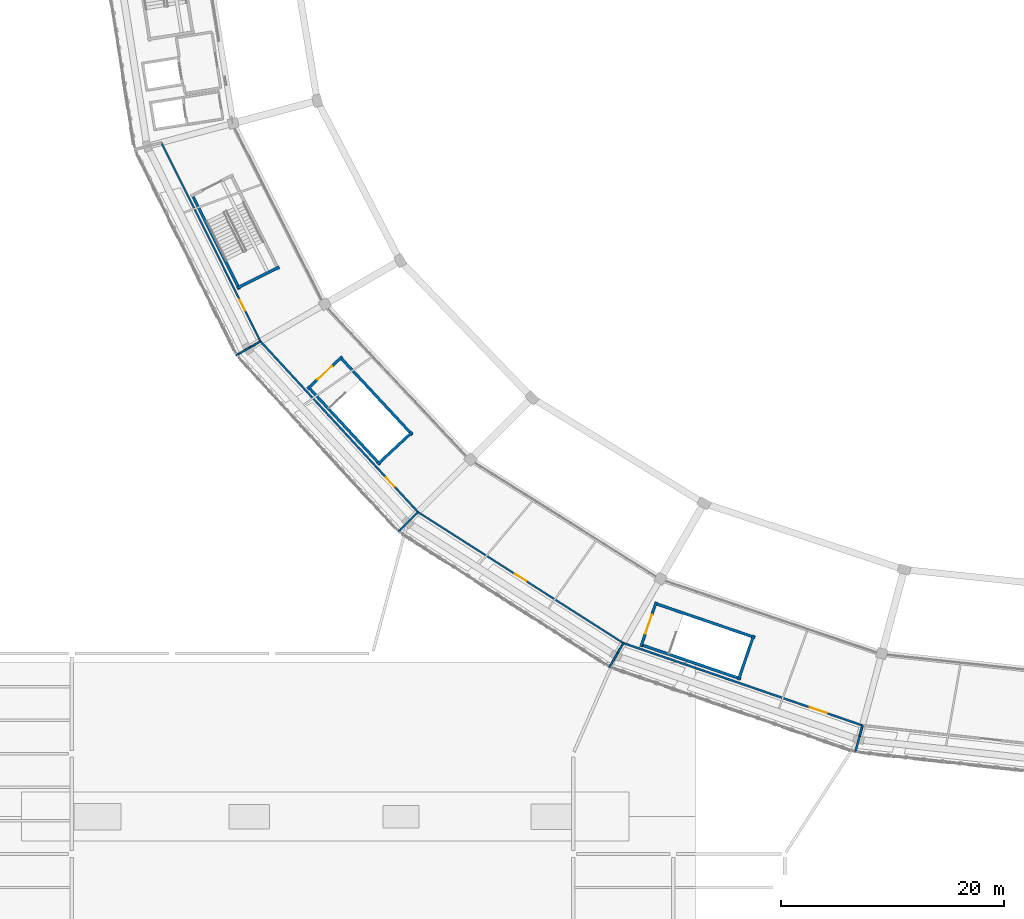
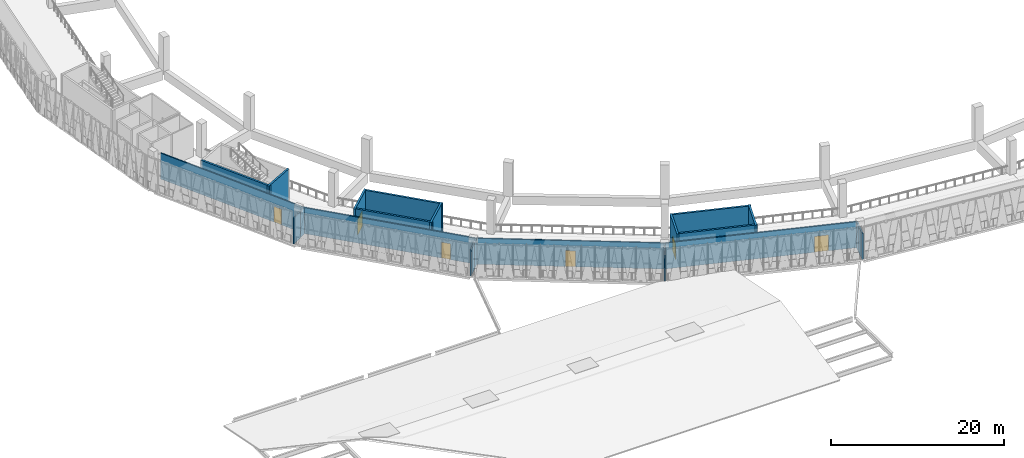
# One storey, part 66 of 108: 22 walls, 6 doors, 6 openings.
"""IFC4 building model written with IfcOpenShell, lengths in metres."""

from ifc_helpers import new_model, si_unit, direction, frame, frame_2d, origin, place, context, subcontext, project, spatial, rectangle, extrude, material, layer, layer_set, type_object, element, fill, save


model = new_model("IFC4")

# Units and contexts
model_context = context("Model", 3, precision=1e-05, world=origin(), true_north=direction((0.0, 1.0)))
body_context = subcontext(model_context, "Body", "Model", "MODEL_VIEW")
ifc_project = project(units=[si_unit("LENGTHUNIT", "METRE"), si_unit("AREAUNIT", "SQUARE_METRE"), si_unit("VOLUMEUNIT", "CUBIC_METRE"), si_unit("PLANEANGLEUNIT", "RADIAN"), si_unit("MASSUNIT", "GRAM", prefix="KILO")], contexts=[model_context])

# Site, building, storey
site_placement = place(None, origin())
site = spatial("IfcSite", under=ifc_project, at=site_placement, CompositionType="ELEMENT")
building_placement = place(site_placement, origin())
building = spatial("IfcBuilding", under=site, at=building_placement, Name="Zevraka Park Crest Stadium", CompositionType="ELEMENT")
storey_placement = place(building_placement, frame((0.0, 0.0, 19.800048828125)))
storey = spatial("IfcBuildingStorey", under=building, at=storey_placement, Name="L04", CompositionType="ELEMENT", Elevation=19.800048828125)

# Wall, opening, door
ifc_material_1 = material(Name="Fire-rated twin-stud acoustic drywall", Category="other")
ifc_layer_1 = layer(ifc_material_1, 0.159912109375)
ifc_layer_set_1 = layer_set([ifc_layer_1], Name="Fire-rated twin-stud acoustic drywall")
wall_type_1 = type_object("IfcWallType", Name="IW02", PredefinedType="PARTITIONING", material=ifc_layer_set_1)
wall_1_placement = place(storey_placement, frame((26.052001953125, 72.85302734375, 0.0), z_axis=(0.0, 0.0, 1.0), x_axis=(0.44590512567, -0.895080230427, 0.0)))
wall_1 = element("IfcWall", 1, at=wall_1_placement, inside=storey, type_object=wall_type_1, Name="Interior Partition IW02 Hospitality Suite L04", PredefinedType="PARTITIONING", context=body_context, shape_type="SweptSolid", body=[
    extrude(rectangle(XDim=19.9345703125, YDim=0.159912109375, at=frame_2d((9.96728515625, 0.0))), origin(), (0.0, 0.0, 1.0), 3.6650390625),
])
opening_1_placement = place(wall_1_placement, frame((15.757080078125, 0.0, 0.0)))
opening_1 = element("IfcOpeningElement", 2, at=opening_1_placement, cuts=wall_1, Name="Opening D-L04-482", PredefinedType="OPENING", context=body_context, shape_type="SweptSolid", body=[
    extrude(rectangle(XDim=1.080078125, YDim=2.199951171875, at=frame_2d((0.5400390625, 1.10009765625))), frame((0.0, 0.08984375, 0.0), z_axis=(0.0, -1.0, 0.0), x_axis=(1.0, 0.0, 0.0)), (0.0, 0.0, 1.0), 0.179931640625),
])
ifc_material_2 = material(Name="Solid-core hardwood timber leaf in steel frame", Category="steel")
door_type_1 = type_object("IfcDoorType", Name="DR22", OperationType="NOTDEFINED", PredefinedType="DOOR", material=ifc_material_2)
door_1_placement = place(opening_1_placement, origin())
door_1 = element("IfcDoor", 3, at=door_1_placement, inside=storey, type_object=door_type_1, Name="Hospitality Suite Door D-L04-482", OperationType="SINGLE_SWING_LEFT", OverallHeight=2.199951171875, OverallWidth=1.080078125, PredefinedType="DOOR", context=body_context, shape_type="SweptSolid", body=[
    extrude(rectangle(XDim=1.080078125, YDim=2.199951171875, at=frame_2d((0.5400390625, 1.10009765625))), frame((0.0, 0.02490234375, 0.0), z_axis=(0.0, -1.0, 0.0), x_axis=(1.0, 0.0, 0.0)), (0.0, 0.0, 1.0), 0.050048828125),
])
fill(opening_1, door_1)

# Walls
wall_2_placement = place(storey_placement, frame((34.94091796875, 55.010009765625, 0.0), z_axis=(0.0, 0.0, 1.0), x_axis=(-0.866048774504, -0.499959518541, 0.0)))
element("IfcWall", 4, at=wall_2_placement, inside=storey, type_object=wall_type_1, Name="Interior Partition IW02 Hospitality Suite L04", PredefinedType="PARTITIONING", context=body_context, shape_type="SweptSolid", body=[
    extrude(rectangle(XDim=1.01025390625, YDim=0.159912109375, at=frame_2d((0.505126953125, 0.0))), origin(), (0.0, 0.0, 1.0), 3.6650390625),
])
wall_3_placement = place(storey_placement, frame((34.0791015625, 54.511962890625, 0.0), z_axis=(0.0, 0.0, 1.0), x_axis=(-0.866076232617, -0.499911951544, 0.0)))
element("IfcWall", 5, at=wall_3_placement, inside=storey, type_object=wall_type_1, Name="Interior Partition IW02 Hospitality Suite L04", PredefinedType="PARTITIONING", context=body_context, shape_type="SweptSolid", body=[
    extrude(rectangle(XDim=1.524169921875, YDim=0.159912109375, at=frame_2d((0.76220703125, 0.0))), origin(), (0.0, 0.0, 1.0), 3.6650390625),
])

# Wall, opening, door
wall_4_placement = place(storey_placement, frame((49.08203125, 39.68798828125, 0.0), z_axis=(0.0, 0.0, 1.0), x_axis=(0.843035459997, -0.537857986077, 0.0)))
wall_4 = element("IfcWall", 6, at=wall_4_placement, inside=storey, type_object=wall_type_1, Name="Interior Partition IW02 Hospitality Suite L04", PredefinedType="PARTITIONING", context=body_context, shape_type="SweptSolid", body=[
    extrude(rectangle(XDim=21.859130859375, YDim=0.159912109375, at=frame_2d((10.9296875, 0.0))), origin(), (0.0, 0.0, 1.0), 3.6650390625),
])
opening_2_placement = place(wall_4_placement, frame((10.340087890625, 0.0, 0.0)))
opening_2 = element("IfcOpeningElement", 7, at=opening_2_placement, cuts=wall_4, Name="Opening D-L04-484", PredefinedType="OPENING", context=body_context, shape_type="SweptSolid", body=[
    extrude(rectangle(XDim=1.179931640625, YDim=2.25, at=frame_2d((0.58984375, 1.125))), frame((0.0, 0.08984375, 0.0), z_axis=(0.0, -1.0, 0.0), x_axis=(1.0, 0.0, 0.0)), (0.0, 0.0, 1.0), 0.179931640625),
])
ifc_material_3 = material(Name="Solid-core hardwood timber leaf in steel frame", Category="steel")
door_type_2 = type_object("IfcDoorType", Name="DR24", OperationType="NOTDEFINED", PredefinedType="DOOR", material=ifc_material_3)
door_2_placement = place(opening_2_placement, origin())
door_2 = element("IfcDoor", 8, at=door_2_placement, inside=storey, type_object=door_type_2, Name="Hospitality Suite Door D-L04-484", OperationType="SINGLE_SWING_LEFT", OverallHeight=2.25, OverallWidth=1.179931640625, PredefinedType="DOOR", context=body_context, shape_type="SweptSolid", body=[
    extrude(rectangle(XDim=1.179931640625, YDim=2.25, at=frame_2d((0.58984375, 1.125))), frame((0.0, 0.02490234375, 0.0), z_axis=(0.0, -1.0, 0.0), x_axis=(1.0, 0.0, 0.0)), (0.0, 0.0, 1.0), 0.050048828125),
])
fill(opening_2, door_2)

# Walls
wall_5_placement = place(storey_placement, frame((67.510009765625, 27.930908203125, 0.0), z_axis=(0.0, 0.0, 1.0), x_axis=(-0.499959518541, -0.866048774504, 0.0)))
element("IfcWall", 9, at=wall_5_placement, inside=storey, type_object=wall_type_1, Name="Interior Partition IW02 Hospitality Suite L04", PredefinedType="PARTITIONING", context=body_context, shape_type="SweptSolid", body=[
    extrude(rectangle(XDim=1.01025390625, YDim=0.159912109375, at=frame_2d((0.505126953125, 0.0))), origin(), (0.0, 0.0, 1.0), 3.6650390625),
])
wall_6_placement = place(storey_placement, frame((67.011962890625, 27.069091796875, 0.0), z_axis=(0.0, 0.0, 1.0), x_axis=(-0.499911951544, -0.866076232617, 0.0)))
element("IfcWall", 10, at=wall_6_placement, inside=storey, type_object=wall_type_1, Name="Interior Partition IW02 Hospitality Suite L04", PredefinedType="PARTITIONING", context=body_context, shape_type="SweptSolid", body=[
    extrude(rectangle(XDim=1.524169921875, YDim=0.159912109375, at=frame_2d((0.76220703125, 0.0))), origin(), (0.0, 0.0, 1.0), 3.6650390625),
])

# Wall, opening, door
ifc_material_4 = material(Name="Fire-rated twin-stud acoustic drywall", Category="other")
ifc_layer_2 = layer(ifc_material_4, 0.179931640625)
ifc_layer_set_2 = layer_set([ifc_layer_2], Name="Fire-rated twin-stud acoustic drywall")
wall_type_2 = type_object("IfcWallType", Name="IW06", PredefinedType="PARTITIONING", material=ifc_layer_set_2)
wall_7_placement = place(storey_placement, frame((34.94091796875, 55.010009765625, 0.0), z_axis=(0.0, 0.0, 1.0), x_axis=(0.678220768878, -0.734858209903, 0.0)))
wall_7 = element("IfcWall", 11, at=wall_7_placement, inside=storey, type_object=wall_type_2, Name="Interior Partition IW06 Hospitality Suite L04", PredefinedType="PARTITIONING", context=body_context, shape_type="SweptSolid", body=[
    extrude(rectangle(XDim=20.850341796875, YDim=0.179931640625, at=frame_2d((10.42529296875, 0.0))), origin(), (0.0, 0.0, 1.0), 3.6650390625),
])
opening_3_placement = place(wall_7_placement, frame((16.631103515625, 0.0, 0.0)))
opening_3 = element("IfcOpeningElement", 12, at=opening_3_placement, cuts=wall_7, Name="Opening D-L04-483", PredefinedType="OPENING", context=body_context, shape_type="SweptSolid", body=[
    extrude(rectangle(XDim=1.1201171875, YDim=2.25, at=frame_2d((0.56005859375, 1.125))), frame((0.0, 0.099853515625, 0.0), z_axis=(0.0, -1.0, 0.0), x_axis=(1.0, 0.0, 0.0)), (0.0, 0.0, 1.0), 0.199951171875),
])
ifc_material_5 = material(Name="Solid-core hardwood timber leaf in steel frame", Category="steel")
door_type_3 = type_object("IfcDoorType", Name="DR23", OperationType="NOTDEFINED", PredefinedType="DOOR", material=ifc_material_5)
door_3_placement = place(opening_3_placement, origin())
door_3 = element("IfcDoor", 13, at=door_3_placement, inside=storey, type_object=door_type_3, Name="Hospitality Suite Door D-L04-483", OperationType="SINGLE_SWING_RIGHT", OverallHeight=2.25, OverallWidth=1.1201171875, PredefinedType="DOOR", context=body_context, shape_type="SweptSolid", body=[
    extrude(rectangle(XDim=1.1201171875, YDim=2.25, at=frame_2d((0.56005859375, 1.125))), frame((0.0, 0.02490234375, 0.0), z_axis=(0.0, -1.0, 0.0), x_axis=(1.0, 0.0, 0.0)), (0.0, 0.0, 1.0), 0.050048828125),
])
fill(opening_3, door_3)

# Walls
wall_8_placement = place(storey_placement, frame((49.08203125, 39.68798828125, 0.0), z_axis=(0.0, 0.0, 1.0), x_axis=(-0.70722766447, -0.706985877234, 0.0)))
element("IfcWall", 14, at=wall_8_placement, inside=storey, type_object=wall_type_2, Name="Interior Partition IW06 Hospitality Suite L04", PredefinedType="PARTITIONING", context=body_context, shape_type="SweptSolid", body=[
    extrude(rectangle(XDim=1.009765625, YDim=0.179931640625, at=frame_2d((0.5048828125, 0.0))), origin(), (0.0, 0.0, 1.0), 3.6650390625),
])
wall_9_placement = place(storey_placement, frame((48.37890625, 38.985107421875, 0.0), z_axis=(0.0, 0.0, 1.0), x_axis=(-0.707026778157, -0.707186775165, 0.0)))
element("IfcWall", 15, at=wall_9_placement, inside=storey, type_object=wall_type_2, Name="Interior Partition IW06 Hospitality Suite L04", PredefinedType="PARTITIONING", context=body_context, shape_type="SweptSolid", body=[
    extrude(rectangle(XDim=1.52587890625, YDim=0.179931640625, at=frame_2d((0.762939453125, 0.0))), origin(), (0.0, 0.0, 1.0), 3.6650390625),
])

# Wall, opening, door
wall_10_placement = place(storey_placement, frame((67.510009765625, 27.930908203125, 0.0), z_axis=(0.0, 0.0, 1.0), x_axis=(0.945509956828, -0.32559318411, 0.0)))
wall_10 = element("IfcWall", 16, at=wall_10_placement, inside=storey, type_object=wall_type_2, Name="Interior Partition IW06 Hospitality Suite L04", PredefinedType="PARTITIONING", context=body_context, shape_type="SweptSolid", body=[
    extrude(rectangle(XDim=22.69677734375, YDim=0.179931640625, at=frame_2d((11.348388671875, 0.0))), origin(), (0.0, 0.0, 1.0), 3.6650390625),
])
opening_4_placement = place(wall_10_placement, frame((17.678955078125, 0.0, 0.0)))
opening_4 = element("IfcOpeningElement", 17, at=opening_4_placement, cuts=wall_10, Name="Opening D-L04-485", PredefinedType="OPENING", context=body_context, shape_type="SweptSolid", body=[
    extrude(rectangle(XDim=1.64990234375, YDim=2.25, at=frame_2d((0.824951171875, 1.125))), frame((0.0, 0.099853515625, 0.0), z_axis=(0.0, -1.0, 0.0), x_axis=(1.0, 0.0, 0.0)), (0.0, 0.0, 1.0), 0.199951171875),
])
ifc_material_6 = material(Name="Solid-core hardwood timber leaf in steel frame", Category="steel")
door_type_4 = type_object("IfcDoorType", Name="DR26", OperationType="NOTDEFINED", PredefinedType="DOOR", material=ifc_material_6)
door_4_placement = place(opening_4_placement, origin())
door_4 = element("IfcDoor", 18, at=door_4_placement, inside=storey, type_object=door_type_4, Name="Hospitality Suite Door D-L04-485", OperationType="DOUBLE_DOOR_SINGLE_SWING", OverallHeight=2.25, OverallWidth=1.64990234375, PredefinedType="DOOR", context=body_context, shape_type="SweptSolid", body=[
    extrude(rectangle(XDim=1.64990234375, YDim=2.25, at=frame_2d((0.824951171875, 1.125))), frame((0.0, 0.02490234375, 0.0), z_axis=(0.0, -1.0, 0.0), x_axis=(1.0, 0.0, 0.0)), (0.0, 0.0, 1.0), 0.050048828125),
])
fill(opening_4, door_4)

# Walls
wall_11_placement = place(storey_placement, frame((88.969970703125, 20.541015625, 0.0), z_axis=(0.0, 0.0, 1.0), x_axis=(-0.258550707932, -0.965997687072, 0.0)))
element("IfcWall", 19, at=wall_11_placement, inside=storey, type_object=wall_type_2, Name="Interior Partition IW06 Hospitality Suite L04", PredefinedType="PARTITIONING", context=body_context, shape_type="SweptSolid", body=[
    extrude(rectangle(XDim=1.009521484375, YDim=0.179931640625, at=frame_2d((0.5048828125, 0.0))), origin(), (0.0, 0.0, 1.0), 3.6650390625),
])
wall_12_placement = place(storey_placement, frame((88.7119140625, 19.5810546875, 0.0), z_axis=(0.0, 0.0, 1.0), x_axis=(-0.25809085904, -0.966120649029, 0.0)))
element("IfcWall", 20, at=wall_12_placement, inside=storey, type_object=wall_type_2, Name="Interior Partition IW06 Hospitality Suite L04", PredefinedType="PARTITIONING", context=body_context, shape_type="SweptSolid", body=[
    extrude(rectangle(XDim=1.52587890625, YDim=0.179931640625, at=frame_2d((0.762939453125, 0.0))), origin(), (0.0, 0.0, 1.0), 3.6650390625),
])
ifc_material_7 = material(Name="Concrete C40/50", Category="concrete")
ifc_layer_3 = layer(ifc_material_7, 0.25)
ifc_layer_set_3 = layer_set([ifc_layer_3], Name="Concrete C40/50")
wall_type_3 = type_object("IfcWallType", Name="SW01", PredefinedType="SHEAR", material=ifc_layer_set_3)
wall_13_placement = place(storey_placement, frame((28.785400390625, 68.2255859375, 0.0), z_axis=(0.0, 0.0, 1.0), x_axis=(0.447919041961, -0.894074119885, 0.0)))
element("IfcWall", 21, at=wall_13_placement, inside=storey, type_object=wall_type_3, Name="Stair Core Shear Wall SW01 ST14 L04 left", PredefinedType="SHEAR", context=body_context, shape_type="SweptSolid", body=[
    extrude(rectangle(XDim=9.5498046875, YDim=0.25, at=frame_2d((4.77490234375, 0.0))), origin(), (0.0, 0.0, 1.0), 4.5400390625),
])
wall_14_placement = place(storey_placement, frame((32.828125, 59.776611328125, 0.0), z_axis=(0.0, 0.0, 1.0), x_axis=(0.89409454548, 0.447878268888, 0.0)))
element("IfcWall", 22, at=wall_14_placement, inside=storey, type_object=wall_type_3, Name="Stair Core Shear Wall SW01 ST14 L04 far", PredefinedType="SHEAR", context=body_context, shape_type="SweptSolid", body=[
    extrude(rectangle(XDim=4.260009765625, YDim=0.25, at=frame_2d((2.1298828125, 0.0))), origin(), (0.0, 0.0, 1.0), 4.5400390625),
])
for number, where, z_axis, x_axis, name in (
    (23, (39.1982421875, 50.952880859375, 0.0), (0.0, 0.0, 1.0), (0.680258890476, -0.732971924379, 0.0), "Stair Core Shear Wall SW01 ST15 L04 left"),
    (24, (48.568115234375, 46.61962890625, 0.0), (0.0, 0.0, 1.0), (-0.680271637111, 0.732960094236, 0.0), "Stair Core Shear Wall SW01 ST15 L04 right"),
):
    element("IfcWall", number, at=place(storey_placement, frame(where, z_axis=z_axis, x_axis=x_axis)), inside=storey, type_object=wall_type_3, Name=name, PredefinedType="SHEAR", context=body_context, shape_type="SweptSolid", body=[
        extrude(rectangle(XDim=9.550048828125, YDim=0.25, at=frame_2d((4.77490234375, 0.0))), origin(), (0.0, 0.0, 1.0), 4.5400390625),
    ])

# Wall, opening, door
wall_15_placement = place(storey_placement, frame((42.28125, 53.6435546875, 0.0), z_axis=(0.0, 0.0, 1.0), x_axis=(-0.732977166505, -0.680253242096, 0.0)))
wall_15 = element("IfcWall", 25, at=wall_15_placement, inside=storey, type_object=wall_type_3, Name="Stair Core Shear Wall SW01 ST15 L04 near", PredefinedType="SHEAR", context=body_context, shape_type="SweptSolid", body=[
    extrude(rectangle(XDim=4.260009765625, YDim=0.25, at=frame_2d((2.1298828125, 0.0))), origin(), (0.0, 0.0, 1.0), 4.5400390625),
])
opening_5_placement = place(wall_15_placement, frame((1.22998046875, 0.0, 0.0)))
opening_5 = element("IfcOpeningElement", 26, at=opening_5_placement, cuts=wall_15, Name="Opening D-L04-092", PredefinedType="OPENING", context=body_context, shape_type="SweptSolid", body=[
    extrude(rectangle(XDim=1.800048828125, YDim=2.25, at=frame_2d((0.89990234375, 1.125))), frame((0.0, 0.135009765625, 0.0), z_axis=(0.0, -1.0, 0.0), x_axis=(1.0, 0.0, 0.0)), (0.0, 0.0, 1.0), 0.27001953125),
])
ifc_material_8 = material(Name="Solid-core hardwood timber leaf in steel frame", Category="steel")
door_type_5 = type_object("IfcDoorType", Name="DR04", OperationType="NOTDEFINED", PredefinedType="DOOR", material=ifc_material_8)
door_5_placement = place(opening_5_placement, origin())
door_5 = element("IfcDoor", 27, at=door_5_placement, inside=storey, type_object=door_type_5, Name="Protected Stair Entry Door ST15 L04", OperationType="DOUBLE_DOOR_SINGLE_SWING", OverallHeight=2.25, OverallWidth=1.800048828125, PredefinedType="DOOR", context=body_context, shape_type="SweptSolid", body=[
    extrude(rectangle(XDim=1.800048828125, YDim=2.25, at=frame_2d((0.89990234375, 1.125))), frame((0.0, 0.02490234375, 0.0), z_axis=(0.0, -1.0, 0.0), x_axis=(1.0, 0.0, 0.0)), (0.0, 0.0, 1.0), 0.050048828125),
])
fill(opening_5, door_5)

# Walls
wall_16_placement = place(storey_placement, frame((45.4443359375, 43.972900390625, 0.0), z_axis=(0.0, 0.0, 1.0), x_axis=(0.73295064559, 0.680281817433, 0.0)))
element("IfcWall", 28, at=wall_16_placement, inside=storey, type_object=wall_type_3, Name="Stair Core Shear Wall SW01 ST15 L04 far", PredefinedType="SHEAR", context=body_context, shape_type="SweptSolid", body=[
    extrude(rectangle(XDim=4.260009765625, YDim=0.25, at=frame_2d((2.1298828125, 0.0))), origin(), (0.0, 0.0, 1.0), 4.5400390625),
])
for number, where, z_axis, x_axis, name in (
    (29, (69.023681640625, 27.809326171875, 0.0), (0.0, 0.0, 1.0), (0.946064424228, -0.323978556712, 0.0), "Stair Core Shear Wall SW01 ST17 L04 left"),
    (30, (79.328369140625, 28.423828125, 0.0), (0.0, 0.0, 1.0), (-0.946064424228, 0.323978556712, 0.0), "Stair Core Shear Wall SW01 ST17 L04 right"),
):
    element("IfcWall", number, at=place(storey_placement, frame(where, z_axis=z_axis, x_axis=x_axis)), inside=storey, type_object=wall_type_3, Name=name, PredefinedType="SHEAR", context=body_context, shape_type="SweptSolid", body=[
        extrude(rectangle(XDim=9.550048828125, YDim=0.25, at=frame_2d((4.77490234375, 0.0))), origin(), (0.0, 0.0, 1.0), 4.5400390625),
    ])

# Wall, opening, door
wall_17_placement = place(storey_placement, frame((70.466796875, 31.63818359375, 0.0), z_axis=(0.0, 0.0, 1.0), x_axis=(-0.323971192516, -0.946066946056, 0.0)))
wall_17 = element("IfcWall", 31, at=wall_17_placement, inside=storey, type_object=wall_type_3, Name="Stair Core Shear Wall SW01 ST17 L04 near", PredefinedType="SHEAR", context=body_context, shape_type="SweptSolid", body=[
    extrude(rectangle(XDim=4.260009765625, YDim=0.25, at=frame_2d((2.1298828125, 0.0))), origin(), (0.0, 0.0, 1.0), 4.5400390625),
])
opening_6_placement = place(wall_17_placement, frame((1.22998046875, 0.0, 0.0)))
opening_6 = element("IfcOpeningElement", 32, at=opening_6_placement, cuts=wall_17, Name="Opening D-L04-103", PredefinedType="OPENING", context=body_context, shape_type="SweptSolid", body=[
    extrude(rectangle(XDim=1.800048828125, YDim=2.25, at=frame_2d((0.89990234375, 1.125))), frame((0.0, 0.135009765625, 0.0), z_axis=(0.0, -1.0, 0.0), x_axis=(1.0, 0.0, 0.0)), (0.0, 0.0, 1.0), 0.27001953125),
])
door_6_placement = place(opening_6_placement, origin())
door_6 = element("IfcDoor", 33, at=door_6_placement, inside=storey, type_object=door_type_5, Name="Protected Stair Entry Door ST17 L04", OperationType="DOUBLE_DOOR_SINGLE_SWING", OverallHeight=2.25, OverallWidth=1.800048828125, PredefinedType="DOOR", context=body_context, shape_type="SweptSolid", body=[
    extrude(rectangle(XDim=1.800048828125, YDim=2.25, at=frame_2d((0.89990234375, 1.125))), frame((0.0, 0.02490234375, 0.0), z_axis=(0.0, -1.0, 0.0), x_axis=(1.0, 0.0, 0.0)), (0.0, 0.0, 1.0), 0.050048828125),
])
fill(opening_6, door_6)

# Wall
wall_18_placement = place(storey_placement, frame((77.828369140625, 24.614501953125, 0.0), z_axis=(0.0, 0.0, 1.0), x_axis=(0.323971192516, 0.946066946056, 0.0)))
element("IfcWall", 34, at=wall_18_placement, inside=storey, type_object=wall_type_3, Name="Stair Core Shear Wall SW01 ST17 L04 far", PredefinedType="SHEAR", context=body_context, shape_type="SweptSolid", body=[
    extrude(rectangle(XDim=4.260009765625, YDim=0.25, at=frame_2d((2.1298828125, 0.0))), origin(), (0.0, 0.0, 1.0), 4.5400390625),
])

save(model, "model.ifc")
